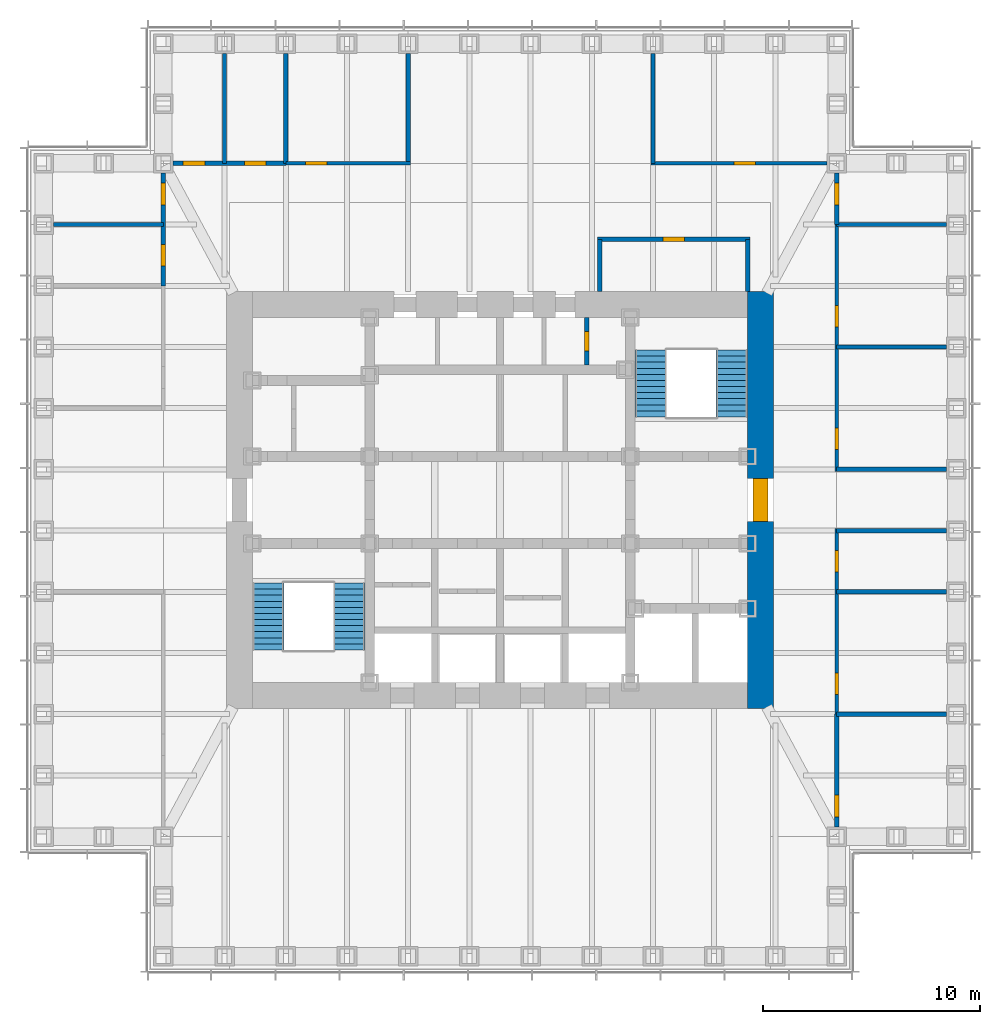
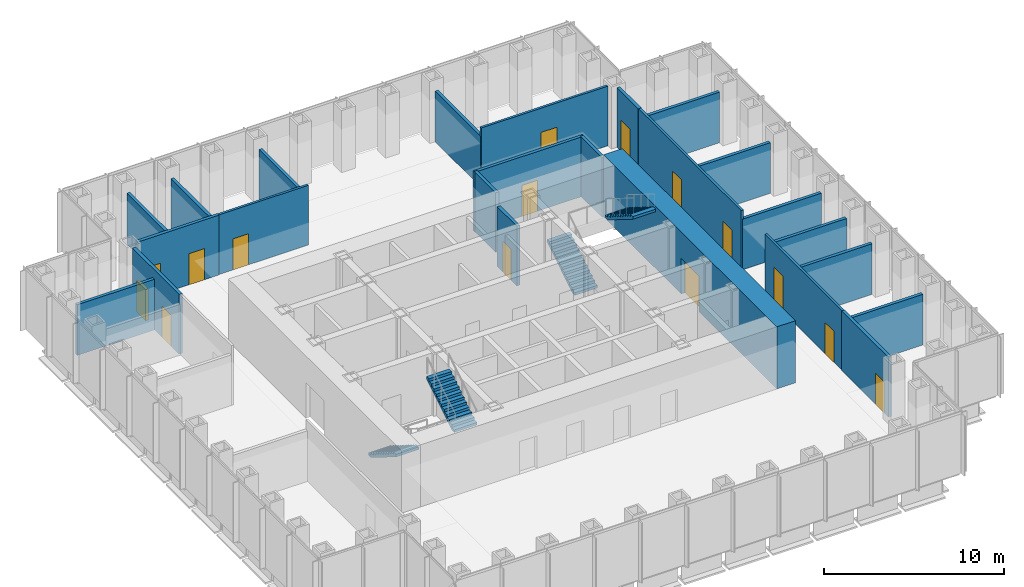
# One storey, part 10 of 16: 24 walls, 15 doors, 4 stair flights, 15 openings, 2 elements without a shape of their own.
"""IFC4 building model written with IfcOpenShell, lengths in metres."""

from ifc_helpers import new_model, si_unit, direction, frame, frame_2d, origin, place, context, subcontext, project, spatial, polyline, rectangle, outline, extrude, material, layer, layer_set, type_object, element, fill, aggregate, save


model = new_model("IFC4")

# Units and contexts
model_context = context("Model", 3, precision=1e-05, world=origin(), true_north=direction((0.0, 1.0)))
body_context = subcontext(model_context, "Body", "Model", "MODEL_VIEW")
ifc_project = project(units=[si_unit("LENGTHUNIT", "METRE"), si_unit("AREAUNIT", "SQUARE_METRE"), si_unit("VOLUMEUNIT", "CUBIC_METRE"), si_unit("PLANEANGLEUNIT", "RADIAN"), si_unit("MASSUNIT", "GRAM", prefix="KILO")], contexts=[model_context])

# Site, building, storey
site_placement = place(None, origin())
site = spatial("IfcSite", under=ifc_project, at=site_placement, CompositionType="ELEMENT")
building_placement = place(site_placement, origin())
building = spatial("IfcBuilding", under=site, at=building_placement, Name="Daluyong Arena Tower", CompositionType="ELEMENT")
storey_placement = place(building_placement, frame((0.0, 0.0, 210.699951171875)))
storey = spatial("IfcBuildingStorey", under=building, at=storey_placement, Name="L47", CompositionType="ELEMENT", Elevation=210.699951171875)

# Wall, opening, door
ifc_material_1 = material(Name="Concrete fc' 60 MPa", Category="concrete")
ifc_layer_1 = layer(ifc_material_1, 1.199951171875)
ifc_layer_set_1 = layer_set([ifc_layer_1], Name="Concrete fc' 60 MPa")
wall_type_1 = type_object("IfcWallType", Name="Core wall 1200", PredefinedType="SHEAR", material=ifc_layer_set_1)
wall_1_placement = place(storey_placement, frame((68.0, 70.39990234375, 0.0), z_axis=(0.0, 0.0, 1.0), x_axis=(0.0, 1.0, 0.0)))
wall_1 = element("IfcWall", 1, at=wall_1_placement, inside=storey, type_object=wall_type_1, Name="core wall at L47", PredefinedType="SHEAR", context=body_context, shape_type="SweptSolid", body=[
    extrude(rectangle(XDim=19.2001953125, YDim=1.199951171875, at=frame_2d((9.60009765625, 0.0))), origin(), (0.0, 0.0, 1.0), 4.199951171875),
])
opening_1_placement = place(wall_1_placement, frame((8.60009765625, 0.0, 0.0)))
opening_1 = element("IfcOpeningElement", 2, at=opening_1_placement, cuts=wall_1, Name="Opening 47023", PredefinedType="OPENING", context=body_context, shape_type="SweptSolid", body=[
    extrude(rectangle(XDim=2.0, YDim=2.39990234375, at=frame_2d((1.0, 1.199951171875))), frame((0.0, 0.60986328125, 0.0), z_axis=(0.0, -1.0, 0.0), x_axis=(1.0, 0.0, 0.0)), (0.0, 0.0, 1.0), 1.219970703125),
])
ifc_material_2 = material(Name="Steel door, fire rated", Category="steel")
door_type_1 = type_object("IfcDoorType", Name="Core lobby double door 2000", OperationType="DOUBLE_DOOR_SINGLE_SWING", PredefinedType="DOOR", material=ifc_material_2)
door_1_placement = place(opening_1_placement, origin())
door_1 = element("IfcDoor", 3, at=door_1_placement, inside=storey, type_object=door_type_1, Name="core lobby door east 47023", OperationType="DOUBLE_DOOR_SINGLE_SWING", OverallHeight=2.39990234375, OverallWidth=2.0, PredefinedType="DOOR", context=body_context, shape_type="SweptSolid", body=[
    extrude(rectangle(XDim=2.0, YDim=2.39990234375, at=frame_2d((1.0, 1.199951171875))), frame((0.0, 0.35009765625, 0.0), z_axis=(0.0, -1.0, 0.0), x_axis=(1.0, 0.0, 0.0)), (0.0, 0.0, 1.0), 0.699951171875),
])
fill(opening_1, door_1)

ifc_material_3 = material(Name="Concrete block partition, fire rated", Category="concrete")
ifc_layer_2 = layer(ifc_material_3, 0.199951171875)
ifc_layer_set_2 = layer_set([ifc_layer_2], Name="Concrete block partition, fire rated")
wall_type_2 = type_object("IfcWallType", Name="Fire-rated partition 200", PredefinedType="PARTITIONING", material=ifc_layer_set_2)
wall_2_placement = place(storey_placement, frame((60.0, 86.22509765625, 0.0), z_axis=(0.0, 0.0, 1.0), x_axis=(0.0, 1.0, 0.0)))
wall_2 = element("IfcWall", 4, at=wall_2_placement, inside=storey, type_object=wall_type_2, Name="electrical riser enclosure at L47", PredefinedType="PARTITIONING", context=body_context, shape_type="SweptSolid", body=[
    extrude(rectangle(XDim=2.1748046875, YDim=0.199951171875, at=frame_2d((1.08740234375, 0.0))), origin(), (0.0, 0.0, 1.0), 4.0400390625),
])
opening_2_placement = place(wall_2_placement, frame((0.637451171875, 0.0, 0.0)))
opening_2 = element("IfcOpeningElement", 5, at=opening_2_placement, cuts=wall_2, Name="Opening 47008", PredefinedType="OPENING", context=body_context, shape_type="SweptSolid", body=[
    extrude(rectangle(XDim=0.89990234375, YDim=2.10009765625, at=frame_2d((0.449951171875, 1.050048828125))), frame((0.0, 0.10986328125, 0.0), z_axis=(0.0, -1.0, 0.0), x_axis=(1.0, 0.0, 0.0)), (0.0, 0.0, 1.0), 0.219970703125),
])
ifc_material_4 = material(Name="Steel door, fire rated", Category="steel")
door_type_2 = type_object("IfcDoorType", Name="Riser door 900", OperationType="SINGLE_SWING_LEFT", PredefinedType="DOOR", material=ifc_material_4)
door_2_placement = place(opening_2_placement, origin())
door_2 = element("IfcDoor", 6, at=door_2_placement, inside=storey, type_object=door_type_2, Name="riser door 47008", OperationType="SINGLE_SWING_LEFT", OverallHeight=2.10009765625, OverallWidth=0.89990234375, PredefinedType="DOOR", context=body_context, shape_type="SweptSolid", body=[
    extrude(rectangle(XDim=0.89990234375, YDim=2.10009765625, at=frame_2d((0.449951171875, 1.050048828125))), frame((0.0, 0.099609375, 0.0), z_axis=(0.0, -1.0, 0.0), x_axis=(1.0, 0.0, 0.0)), (0.0, 0.0, 1.0), 0.199462890625),
])
fill(opening_2, door_2)

ifc_material_5 = material(Name="Glazed aluminium partition", Category="aluminium")
ifc_layer_3 = layer(ifc_material_5, 0.14990234375)
ifc_layer_set_3 = layer_set([ifc_layer_3], Name="Glazed aluminium partition")
wall_type_3 = type_object("IfcWallType", Name="Glazed partition 150", PredefinedType="PARTITIONING", material=ifc_layer_set_3)
wall_3_placement = place(storey_placement, frame((46.136474609375, 95.5, 0.0), z_axis=(0.0, 0.0, 1.0), x_axis=(1.0, 0.0, 0.0)))
wall_3 = element("IfcWall", 7, at=wall_3_placement, inside=storey, type_object=wall_type_3, Name="glazed partition at L47", PredefinedType="PARTITIONING", context=body_context, shape_type="SweptSolid", body=[
    extrude(rectangle(XDim=5.736328125, YDim=0.14990234375, at=frame_2d((2.8681640625, 0.0))), origin(), (0.0, 0.0, 1.0), 4.0400390625),
])
opening_3_placement = place(wall_3_placement, frame((0.9091796875, 0.0, 0.0)))
opening_3 = element("IfcOpeningElement", 8, at=opening_3_placement, cuts=wall_3, Name="Opening 47041", PredefinedType="OPENING", context=body_context, shape_type="SweptSolid", body=[
    extrude(rectangle(XDim=1.0, YDim=2.10009765625, at=frame_2d((0.5, 1.050048828125))), frame((0.0, 0.0849609375, 0.0), z_axis=(0.0, -1.0, 0.0), x_axis=(1.0, 0.0, 0.0)), (0.0, 0.0, 1.0), 0.169921875),
])
ifc_material_6 = material(Name="Timber door", Category="wood")
door_type_3 = type_object("IfcDoorType", Name="Room door 1000", OperationType="SINGLE_SWING_LEFT", PredefinedType="DOOR", material=ifc_material_6)
door_3_placement = place(opening_3_placement, origin())
door_3 = element("IfcDoor", 9, at=door_3_placement, inside=storey, type_object=door_type_3, Name="executive office door 47041", OperationType="SINGLE_SWING_LEFT", OverallHeight=2.10009765625, OverallWidth=1.0, PredefinedType="DOOR", context=body_context, shape_type="SweptSolid", body=[
    extrude(rectangle(XDim=1.0, YDim=2.10009765625, at=frame_2d((0.5, 1.050048828125))), frame((0.0, 0.07470703125, 0.0), z_axis=(0.0, -1.0, 0.0), x_axis=(1.0, 0.0, 0.0)), (0.0, 0.0, 1.0), 0.1494140625),
])
fill(opening_3, door_3)

wall_4_placement = place(storey_placement, frame((62.945556640625, 95.5, 0.0), z_axis=(0.0, 0.0, 1.0), x_axis=(1.0, 0.0, 0.0)))
wall_4 = element("IfcWall", 10, at=wall_4_placement, inside=storey, type_object=wall_type_3, Name="glazed partition at L47", PredefinedType="PARTITIONING", context=body_context, shape_type="SweptSolid", body=[
    extrude(rectangle(XDim=8.1044921875, YDim=0.14990234375, at=frame_2d((4.05224609375, 0.0))), origin(), (0.0, 0.0, 1.0), 4.0400390625),
])
opening_4_placement = place(wall_4_placement, frame((3.827392578125, 0.0, 0.0)))
opening_4 = element("IfcOpeningElement", 11, at=opening_4_placement, cuts=wall_4, Name="Opening 47042", PredefinedType="OPENING", context=body_context, shape_type="SweptSolid", body=[
    extrude(rectangle(XDim=1.0, YDim=2.39990234375, at=frame_2d((0.5, 1.199951171875))), frame((0.0, 0.0849609375, 0.0), z_axis=(0.0, -1.0, 0.0), x_axis=(1.0, 0.0, 0.0)), (0.0, 0.0, 1.0), 0.169921875),
])
ifc_material_7 = material(Name="Glazed aluminium door", Category="aluminium")
door_type_4 = type_object("IfcDoorType", Name="Meeting room glazed door 1000", OperationType="SINGLE_SWING_RIGHT", PredefinedType="DOOR", material=ifc_material_7)
door_4_placement = place(opening_4_placement, origin())
door_4 = element("IfcDoor", 12, at=door_4_placement, inside=storey, type_object=door_type_4, Name="meeting room door 47042", OperationType="SINGLE_SWING_RIGHT", OverallHeight=2.39990234375, OverallWidth=1.0, PredefinedType="DOOR", context=body_context, shape_type="SweptSolid", body=[
    extrude(rectangle(XDim=1.0, YDim=2.39990234375, at=frame_2d((0.5, 1.199951171875))), frame((0.0, 0.07470703125, 0.0), z_axis=(0.0, -1.0, 0.0), x_axis=(1.0, 0.0, 0.0)), (0.0, 0.0, 1.0), 0.1494140625),
])
fill(opening_4, door_4)

# Wall, openings, doors
wall_5_placement = place(storey_placement, frame((71.5, 70.136474609375, 0.0), z_axis=(0.0, 0.0, 1.0), x_axis=(0.0, 1.0, 0.0)))
wall_5 = element("IfcWall", 13, at=wall_5_placement, inside=storey, type_object=wall_type_3, Name="glazed partition at L47", PredefinedType="PARTITIONING", context=body_context, shape_type="SweptSolid", body=[
    extrude(rectangle(XDim=8.554443359375, YDim=0.14990234375, at=frame_2d((4.27734375, 0.0))), origin(), (0.0, 0.0, 1.0), 4.0400390625),
])
opening_5_placement = place(wall_5_placement, frame((0.9091796875, 0.0, 0.0)))
opening_5 = element("IfcOpeningElement", 14, at=opening_5_placement, cuts=wall_5, Name="Opening 47034", PredefinedType="OPENING", context=body_context, shape_type="SweptSolid", body=[
    extrude(rectangle(XDim=1.0, YDim=2.10009765625, at=frame_2d((0.5, 1.050048828125))), frame((0.0, 0.0849609375, 0.0), z_axis=(0.0, -1.0, 0.0), x_axis=(1.0, 0.0, 0.0)), (0.0, 0.0, 1.0), 0.169921875),
])
opening_6_placement = place(wall_5_placement, frame((6.54541015625, 0.0, 0.0)))
opening_6 = element("IfcOpeningElement", 15, at=opening_6_placement, cuts=wall_5, Name="Opening 47035", PredefinedType="OPENING", context=body_context, shape_type="SweptSolid", body=[
    extrude(rectangle(XDim=1.0, YDim=2.39990234375, at=frame_2d((0.5, 1.199951171875))), frame((0.0, 0.0849609375, 0.0), z_axis=(0.0, -1.0, 0.0), x_axis=(1.0, 0.0, 0.0)), (0.0, 0.0, 1.0), 0.169921875),
])
door_5_placement = place(opening_6_placement, origin())
door_5 = element("IfcDoor", 16, at=door_5_placement, inside=storey, type_object=door_type_4, Name="focus room door 47035", OperationType="SINGLE_SWING_RIGHT", OverallHeight=2.39990234375, OverallWidth=1.0, PredefinedType="DOOR", context=body_context, shape_type="SweptSolid", body=[
    extrude(rectangle(XDim=1.0, YDim=2.39990234375, at=frame_2d((0.5, 1.199951171875))), frame((0.0, 0.07470703125, 0.0), z_axis=(0.0, -1.0, 0.0), x_axis=(1.0, 0.0, 0.0)), (0.0, 0.0, 1.0), 0.1494140625),
])
fill(opening_6, door_5)
door_6_placement = place(opening_5_placement, origin())
door_6 = element("IfcDoor", 17, at=door_6_placement, inside=storey, type_object=door_type_3, Name="office door 47034", OperationType="SINGLE_SWING_LEFT", OverallHeight=2.10009765625, OverallWidth=1.0, PredefinedType="DOOR", context=body_context, shape_type="SweptSolid", body=[
    extrude(rectangle(XDim=1.0, YDim=2.10009765625, at=frame_2d((0.5, 1.050048828125))), frame((0.0, 0.07470703125, 0.0), z_axis=(0.0, -1.0, 0.0), x_axis=(1.0, 0.0, 0.0)), (0.0, 0.0, 1.0), 0.1494140625),
])
fill(opening_5, door_6)

wall_6_placement = place(storey_placement, frame((71.5, 81.30908203125, 0.0), z_axis=(0.0, 0.0, 1.0), x_axis=(0.0, 1.0, 0.0)))
wall_6 = element("IfcWall", 18, at=wall_6_placement, inside=storey, type_object=wall_type_3, Name="glazed partition at L47", PredefinedType="PARTITIONING", context=body_context, shape_type="SweptSolid", body=[
    extrude(rectangle(XDim=11.372802734375, YDim=0.14990234375, at=frame_2d((5.6865234375, 0.0))), origin(), (0.0, 0.0, 1.0), 4.0400390625),
])
opening_7_placement = place(wall_6_placement, frame((1.009033203125, 0.0, 0.0)))
opening_7 = element("IfcOpeningElement", 19, at=opening_7_placement, cuts=wall_6, Name="Opening 47036", PredefinedType="OPENING", context=body_context, shape_type="SweptSolid", body=[
    extrude(rectangle(XDim=1.0, YDim=2.10009765625, at=frame_2d((0.5, 1.050048828125))), frame((0.0, 0.0849609375, 0.0), z_axis=(0.0, -1.0, 0.0), x_axis=(1.0, 0.0, 0.0)), (0.0, 0.0, 1.0), 0.169921875),
])
opening_8_placement = place(wall_6_placement, frame((6.6455078125, 0.0, 0.0)))
opening_8 = element("IfcOpeningElement", 20, at=opening_8_placement, cuts=wall_6, Name="Opening 47037", PredefinedType="OPENING", context=body_context, shape_type="SweptSolid", body=[
    extrude(rectangle(XDim=1.0, YDim=2.10009765625, at=frame_2d((0.5, 1.050048828125))), frame((0.0, 0.0849609375, 0.0), z_axis=(0.0, -1.0, 0.0), x_axis=(1.0, 0.0, 0.0)), (0.0, 0.0, 1.0), 0.169921875),
])
door_7_placement = place(opening_7_placement, origin())
door_7 = element("IfcDoor", 21, at=door_7_placement, inside=storey, type_object=door_type_3, Name="office door 47036", OperationType="SINGLE_SWING_LEFT", OverallHeight=2.10009765625, OverallWidth=1.0, PredefinedType="DOOR", context=body_context, shape_type="SweptSolid", body=[
    extrude(rectangle(XDim=1.0, YDim=2.10009765625, at=frame_2d((0.5, 1.050048828125))), frame((0.0, 0.07470703125, 0.0), z_axis=(0.0, -1.0, 0.0), x_axis=(1.0, 0.0, 0.0)), (0.0, 0.0, 1.0), 0.1494140625),
])
fill(opening_7, door_7)
door_8_placement = place(opening_8_placement, origin())
door_8 = element("IfcDoor", 22, at=door_8_placement, inside=storey, type_object=door_type_3, Name="office door 47037", OperationType="SINGLE_SWING_LEFT", OverallHeight=2.10009765625, OverallWidth=1.0, PredefinedType="DOOR", context=body_context, shape_type="SweptSolid", body=[
    extrude(rectangle(XDim=1.0, YDim=2.10009765625, at=frame_2d((0.5, 1.050048828125))), frame((0.0, 0.07470703125, 0.0), z_axis=(0.0, -1.0, 0.0), x_axis=(1.0, 0.0, 0.0)), (0.0, 0.0, 1.0), 0.1494140625),
])
fill(opening_8, door_8)

# Walls
ifc_material_8 = material(Name="Concrete block partition", Category="concrete")
ifc_layer_4 = layer(ifc_material_8, 0.199951171875)
ifc_layer_set_4 = layer_set([ifc_layer_4], Name="Concrete block partition")
wall_type_4 = type_object("IfcWallType", Name="Partition 200", PredefinedType="PARTITIONING", material=ifc_layer_set_4)
for number, where, z_axis, x_axis, name in (
    (23, (71.5, 70.136474609375, 0.0), (0.0, 0.0, 1.0), (1.0, 0.0, 0.0), "partition at L47"),
    (24, (71.5, 75.772705078125, 0.0), (0.0, 0.0, 1.0), (1.0, 0.0, 0.0), "partition at L47"),
    (25, (71.5, 78.5908203125, 0.0), (0.0, 0.0, 1.0), (1.0, 0.0, 0.0), "partition at L47"),
    (26, (71.5, 81.4091796875, 0.0), (0.0, 0.0, 1.0), (1.0, 0.0, 0.0), "partition at L47"),
    (27, (71.5, 87.04541015625, 0.0), (0.0, 0.0, 1.0), (1.0, 0.0, 0.0), "partition at L47"),
    (28, (71.5, 92.681884765625, 0.0), (0.0, 0.0, 1.0), (1.0, 0.0, 0.0), "partition at L47"),
    (29, (43.318115234375, 95.5, 0.0), (0.0, 0.0, 1.0), (0.0, 1.0, 0.0), "partition at L47"),
    (30, (46.136474609375, 95.5, 0.0), (0.0, 0.0, 1.0), (0.0, 1.0, 0.0), "partition at L47"),
    (31, (51.772705078125, 95.5, 0.0), (0.0, 0.0, 1.0), (0.0, 1.0, 0.0), "partition at L47"),
    (32, (63.04541015625, 95.5, 0.0), (0.0, 0.0, 1.0), (0.0, 1.0, 0.0), "partition at L47"),
    (33, (35.449951171875, 92.681884765625, 0.0), (0.0, 0.0, 1.0), (1.0, 0.0, 0.0), "partition at L47"),
):
    element("IfcWall", number, at=place(storey_placement, frame(where, z_axis=z_axis, x_axis=x_axis)), inside=storey, type_object=wall_type_4, Name=name, PredefinedType="PARTITIONING", context=body_context, shape_type="SweptSolid", body=[
        extrude(rectangle(XDim=5.050048828125, YDim=0.199951171875, at=frame_2d((2.52490234375, 0.0))), origin(), (0.0, 0.0, 1.0), 3.427978515625),
    ])
for number, where, z_axis, x_axis, name in (
    (34, (60.60009765625, 89.60009765625, 0.0), (0.0, 0.0, 1.0), (0.0, 1.0, 0.0), "partition at L47"),
    (35, (67.39990234375, 89.60009765625, 0.0), (0.0, 0.0, 1.0), (0.0, 1.0, 0.0), "partition at L47"),
):
    element("IfcWall", number, at=place(storey_placement, frame(where, z_axis=z_axis, x_axis=x_axis)), inside=storey, type_object=wall_type_4, Name=name, PredefinedType="PARTITIONING", context=body_context, shape_type="SweptSolid", body=[
        extrude(rectangle(XDim=2.39990234375, YDim=0.199951171875, at=frame_2d((1.199951171875, 0.0))), origin(), (0.0, 0.0, 1.0), 4.0400390625),
    ])

# Wall, opening, door
wall_7_placement = place(storey_placement, frame((60.5, 92.0, 0.0), z_axis=(0.0, 0.0, 1.0), x_axis=(1.0, 0.0, 0.0)))
wall_7 = element("IfcWall", 36, at=wall_7_placement, inside=storey, type_object=wall_type_4, Name="partition at L47", PredefinedType="PARTITIONING", context=body_context, shape_type="SweptSolid", body=[
    extrude(rectangle(XDim=7.0, YDim=0.199951171875, at=frame_2d((3.5, 0.0))), origin(), (0.0, 0.0, 1.0), 4.0400390625),
])
opening_9_placement = place(wall_7_placement, frame((3.0, 0.0, 0.0)))
opening_9 = element("IfcOpeningElement", 37, at=opening_9_placement, cuts=wall_7, Name="Opening 47047", PredefinedType="OPENING", context=body_context, shape_type="SweptSolid", body=[
    extrude(rectangle(XDim=1.0, YDim=2.10009765625, at=frame_2d((0.5, 1.050048828125))), frame((0.0, 0.10986328125, 0.0), z_axis=(0.0, -1.0, 0.0), x_axis=(1.0, 0.0, 0.0)), (0.0, 0.0, 1.0), 0.219970703125),
])
door_9_placement = place(opening_9_placement, origin())
door_9 = element("IfcDoor", 38, at=door_9_placement, inside=storey, type_object=door_type_3, Name="project room door 47047", OperationType="SINGLE_SWING_LEFT", OverallHeight=2.10009765625, OverallWidth=1.0, PredefinedType="DOOR", context=body_context, shape_type="SweptSolid", body=[
    extrude(rectangle(XDim=1.0, YDim=2.10009765625, at=frame_2d((0.5, 1.050048828125))), frame((0.0, 0.099609375, 0.0), z_axis=(0.0, -1.0, 0.0), x_axis=(1.0, 0.0, 0.0)), (0.0, 0.0, 1.0), 0.199462890625),
])
fill(opening_9, door_9)

# Wall, openings, doors
wall_8_placement = place(storey_placement, frame((40.949951171875, 95.5, 0.0), z_axis=(0.0, 0.0, 1.0), x_axis=(1.0, 0.0, 0.0)))
wall_8 = element("IfcWall", 39, at=wall_8_placement, inside=storey, type_object=wall_type_4, Name="partition at L47", PredefinedType="PARTITIONING", context=body_context, shape_type="SweptSolid", body=[
    extrude(rectangle(XDim=5.1865234375, YDim=0.199951171875, at=frame_2d((2.59326171875, 0.0))), origin(), (0.0, 0.0, 1.0), 4.0400390625),
])
opening_10_placement = place(wall_8_placement, frame((0.458984375, 0.0, 0.0)))
opening_10 = element("IfcOpeningElement", 40, at=opening_10_placement, cuts=wall_8, Name="Opening 47039", PredefinedType="OPENING", context=body_context, shape_type="SweptSolid", body=[
    extrude(rectangle(XDim=1.0, YDim=2.10009765625, at=frame_2d((0.5, 1.050048828125))), frame((0.0, 0.10986328125, 0.0), z_axis=(0.0, -1.0, 0.0), x_axis=(1.0, 0.0, 0.0)), (0.0, 0.0, 1.0), 0.219970703125),
])
opening_11_placement = place(wall_8_placement, frame((3.27734375, 0.0, 0.0)))
opening_11 = element("IfcOpeningElement", 41, at=opening_11_placement, cuts=wall_8, Name="Opening 47040", PredefinedType="OPENING", context=body_context, shape_type="SweptSolid", body=[
    extrude(rectangle(XDim=1.0, YDim=2.10009765625, at=frame_2d((0.5, 1.050048828125))), frame((0.0, 0.10986328125, 0.0), z_axis=(0.0, -1.0, 0.0), x_axis=(1.0, 0.0, 0.0)), (0.0, 0.0, 1.0), 0.219970703125),
])
door_10_placement = place(opening_10_placement, origin())
door_10 = element("IfcDoor", 42, at=door_10_placement, inside=storey, type_object=door_type_3, Name="quiet room door 47039", OperationType="SINGLE_SWING_LEFT", OverallHeight=2.10009765625, OverallWidth=1.0, PredefinedType="DOOR", context=body_context, shape_type="SweptSolid", body=[
    extrude(rectangle(XDim=1.0, YDim=2.10009765625, at=frame_2d((0.5, 1.050048828125))), frame((0.0, 0.099609375, 0.0), z_axis=(0.0, -1.0, 0.0), x_axis=(1.0, 0.0, 0.0)), (0.0, 0.0, 1.0), 0.199462890625),
])
fill(opening_10, door_10)
door_11_placement = place(opening_11_placement, origin())
door_11 = element("IfcDoor", 43, at=door_11_placement, inside=storey, type_object=door_type_3, Name="wellness room door 47040", OperationType="SINGLE_SWING_LEFT", OverallHeight=2.10009765625, OverallWidth=1.0, PredefinedType="DOOR", context=body_context, shape_type="SweptSolid", body=[
    extrude(rectangle(XDim=1.0, YDim=2.10009765625, at=frame_2d((0.5, 1.050048828125))), frame((0.0, 0.099609375, 0.0), z_axis=(0.0, -1.0, 0.0), x_axis=(1.0, 0.0, 0.0)), (0.0, 0.0, 1.0), 0.199462890625),
])
fill(opening_11, door_11)

wall_9_placement = place(storey_placement, frame((40.5, 89.863525390625, 0.0), z_axis=(0.0, 0.0, 1.0), x_axis=(0.0, 1.0, 0.0)))
wall_9 = element("IfcWall", 44, at=wall_9_placement, inside=storey, type_object=wall_type_4, Name="partition at L47", PredefinedType="PARTITIONING", context=body_context, shape_type="SweptSolid", body=[
    extrude(rectangle(XDim=5.1865234375, YDim=0.199951171875, at=frame_2d((2.59326171875, 0.0))), origin(), (0.0, 0.0, 1.0), 4.0400390625),
])
opening_12_placement = place(wall_9_placement, frame((0.9091796875, 0.0, 0.0)))
opening_12 = element("IfcOpeningElement", 45, at=opening_12_placement, cuts=wall_9, Name="Opening 47045", PredefinedType="OPENING", context=body_context, shape_type="SweptSolid", body=[
    extrude(rectangle(XDim=1.0, YDim=2.10009765625, at=frame_2d((0.5, 1.050048828125))), frame((0.0, 0.10986328125, 0.0), z_axis=(0.0, -1.0, 0.0), x_axis=(1.0, 0.0, 0.0)), (0.0, 0.0, 1.0), 0.219970703125),
])
opening_13_placement = place(wall_9_placement, frame((3.727294921875, 0.0, 0.0)))
opening_13 = element("IfcOpeningElement", 46, at=opening_13_placement, cuts=wall_9, Name="Opening 47046", PredefinedType="OPENING", context=body_context, shape_type="SweptSolid", body=[
    extrude(rectangle(XDim=1.0, YDim=2.10009765625, at=frame_2d((0.5, 1.050048828125))), frame((0.0, 0.10986328125, 0.0), z_axis=(0.0, -1.0, 0.0), x_axis=(1.0, 0.0, 0.0)), (0.0, 0.0, 1.0), 0.219970703125),
])
door_12_placement = place(opening_12_placement, origin())
door_12 = element("IfcDoor", 47, at=door_12_placement, inside=storey, type_object=door_type_3, Name="copy room door 47045", OperationType="SINGLE_SWING_LEFT", OverallHeight=2.10009765625, OverallWidth=1.0, PredefinedType="DOOR", context=body_context, shape_type="SweptSolid", body=[
    extrude(rectangle(XDim=1.0, YDim=2.10009765625, at=frame_2d((0.5, 1.050048828125))), frame((0.0, 0.099609375, 0.0), z_axis=(0.0, -1.0, 0.0), x_axis=(1.0, 0.0, 0.0)), (0.0, 0.0, 1.0), 0.199462890625),
])
fill(opening_12, door_12)
door_13_placement = place(opening_13_placement, origin())
door_13 = element("IfcDoor", 48, at=door_13_placement, inside=storey, type_object=door_type_3, Name="quiet room door 47046", OperationType="SINGLE_SWING_LEFT", OverallHeight=2.10009765625, OverallWidth=1.0, PredefinedType="DOOR", context=body_context, shape_type="SweptSolid", body=[
    extrude(rectangle(XDim=1.0, YDim=2.10009765625, at=frame_2d((0.5, 1.050048828125))), frame((0.0, 0.099609375, 0.0), z_axis=(0.0, -1.0, 0.0), x_axis=(1.0, 0.0, 0.0)), (0.0, 0.0, 1.0), 0.199462890625),
])
fill(opening_13, door_13)

# Wall, opening, door
wall_10_placement = place(storey_placement, frame((71.5, 64.949951171875, 0.0), z_axis=(0.0, 0.0, 1.0), x_axis=(0.0, 1.0, 0.0)))
wall_10 = element("IfcWall", 49, at=wall_10_placement, inside=storey, type_object=wall_type_4, Name="partition at L47", PredefinedType="PARTITIONING", context=body_context, shape_type="SweptSolid", body=[
    extrude(rectangle(XDim=5.1865234375, YDim=0.199951171875, at=frame_2d((2.59326171875, 0.0))), origin(), (0.0, 0.0, 1.0), 4.0400390625),
])
opening_14_placement = place(wall_10_placement, frame((0.458984375, 0.0, 0.0)))
opening_14 = element("IfcOpeningElement", 50, at=opening_14_placement, cuts=wall_10, Name="Opening 47033", PredefinedType="OPENING", context=body_context, shape_type="SweptSolid", body=[
    extrude(rectangle(XDim=1.0, YDim=2.10009765625, at=frame_2d((0.5, 1.050048828125))), frame((0.0, 0.10986328125, 0.0), z_axis=(0.0, -1.0, 0.0), x_axis=(1.0, 0.0, 0.0)), (0.0, 0.0, 1.0), 0.219970703125),
])
door_14_placement = place(opening_14_placement, origin())
door_14 = element("IfcDoor", 51, at=door_14_placement, inside=storey, type_object=door_type_3, Name="project room door 47033", OperationType="SINGLE_SWING_LEFT", OverallHeight=2.10009765625, OverallWidth=1.0, PredefinedType="DOOR", context=body_context, shape_type="SweptSolid", body=[
    extrude(rectangle(XDim=1.0, YDim=2.10009765625, at=frame_2d((0.5, 1.050048828125))), frame((0.0, 0.099609375, 0.0), z_axis=(0.0, -1.0, 0.0), x_axis=(1.0, 0.0, 0.0)), (0.0, 0.0, 1.0), 0.199462890625),
])
fill(opening_14, door_14)

wall_11_placement = place(storey_placement, frame((71.5, 92.681884765625, 0.0), z_axis=(0.0, 0.0, 1.0), x_axis=(0.0, 1.0, 0.0)))
wall_11 = element("IfcWall", 52, at=wall_11_placement, inside=storey, type_object=wall_type_4, Name="partition at L47", PredefinedType="PARTITIONING", context=body_context, shape_type="SweptSolid", body=[
    extrude(rectangle(XDim=2.3681640625, YDim=0.199951171875, at=frame_2d((1.18408203125, 0.0))), origin(), (0.0, 0.0, 1.0), 4.0400390625),
])
opening_15_placement = place(wall_11_placement, frame((0.9091796875, 0.0, 0.0)))
opening_15 = element("IfcOpeningElement", 53, at=opening_15_placement, cuts=wall_11, Name="Opening 47038", PredefinedType="OPENING", context=body_context, shape_type="SweptSolid", body=[
    extrude(rectangle(XDim=1.0, YDim=2.10009765625, at=frame_2d((0.5, 1.050048828125))), frame((0.0, 0.10986328125, 0.0), z_axis=(0.0, -1.0, 0.0), x_axis=(1.0, 0.0, 0.0)), (0.0, 0.0, 1.0), 0.219970703125),
])
door_15_placement = place(opening_15_placement, origin())
door_15 = element("IfcDoor", 54, at=door_15_placement, inside=storey, type_object=door_type_3, Name="quiet room door 47038", OperationType="SINGLE_SWING_LEFT", OverallHeight=2.10009765625, OverallWidth=1.0, PredefinedType="DOOR", context=body_context, shape_type="SweptSolid", body=[
    extrude(rectangle(XDim=1.0, YDim=2.10009765625, at=frame_2d((0.5, 1.050048828125))), frame((0.0, 0.099609375, 0.0), z_axis=(0.0, -1.0, 0.0), x_axis=(1.0, 0.0, 0.0)), (0.0, 0.0, 1.0), 0.199462890625),
])
fill(opening_15, door_15)

# Stair, stair flights
ifc_material_9 = material(Name="Concrete fc' 35 MPa", Category="concrete")
stair_type = type_object("IfcStairType", Name="Core exit stair", PredefinedType="HALF_TURN_STAIR", material=ifc_material_9)
stair_1_placement = place(storey_placement, origin())
stair_1 = element("IfcStair", 55, at=stair_1_placement, inside=storey, type_object=stair_type, Name="exit stair A L47", PredefinedType="HALF_TURN_STAIR")
ifc_material_10 = material(Name="Concrete fc' 35 MPa", Category="concrete")
stair_flight_type = type_object("IfcStairFlightType", Name="Core stair flight", PredefinedType="STRAIGHT", material=ifc_material_10)
stair_flight_1_placement = place(storey_placement, frame((45.324951171875, 76.175048828125, 0.0), z_axis=(0.0, 0.0, 1.0), x_axis=(0.0, -1.0, 0.0)))
stair_flight_1 = element("IfcStairFlight", 56, at=stair_flight_1_placement, type_object=stair_flight_type, Name="STA flight 1", NumberOfRisers=12, NumberOfTreads=11, PredefinedType="STRAIGHT", RiserHeight=0.175, TreadLength=0.28, context=body_context, shape_type="SweptSolid", body=[
    extrude(outline(polyline([(0.0, 0.0), (0.0, 0.175048828125), (0.280029296875, 0.175048828125), (0.280029296875, 0.35009765625), (0.56005859375, 0.35009765625), (0.56005859375, 0.52490234375), (0.840087890625, 0.52490234375), (0.840087890625, 0.699951171875), (1.1201171875, 0.699951171875), (1.1201171875, 0.875), (1.39990234375, 0.875), (1.39990234375, 1.050048828125), (1.679931640625, 1.050048828125), (1.679931640625, 1.22509765625), (1.9599609375, 1.22509765625), (1.9599609375, 1.39990234375), (2.239990234375, 1.39990234375), (2.239990234375, 1.574951171875), (2.52001953125, 1.574951171875), (2.52001953125, 1.75), (2.800048828125, 1.75), (2.800048828125, 1.925048828125), (3.080078125, 1.925048828125), (3.080078125, 2.10009765625), (3.080078125, 1.748291015625), (0.28271484375, 0.0), (0.0, 0.0)])), frame((0.0, 0.72509765625, 0.0), z_axis=(0.0, -1.0, 0.0), x_axis=(1.0, 0.0, 0.0)), (0.0, 0.0, 1.0), 1.449951171875),
])
stair_flight_2_placement = place(storey_placement, frame((49.050048828125, 73.094970703125, 2.10009765625), z_axis=(0.0, 0.0, 1.0), x_axis=(0.0, 1.0, 0.0)))
stair_flight_2 = element("IfcStairFlight", 57, at=stair_flight_2_placement, type_object=stair_flight_type, Name="STA flight 2", NumberOfRisers=12, NumberOfTreads=11, PredefinedType="STRAIGHT", RiserHeight=0.175, TreadLength=0.28, context=body_context, shape_type="SweptSolid", body=[
    extrude(outline(polyline([(0.0, 0.0), (0.0, 0.175048828125), (0.280029296875, 0.175048828125), (0.280029296875, 0.35009765625), (0.56005859375, 0.35009765625), (0.56005859375, 0.52490234375), (0.840087890625, 0.52490234375), (0.840087890625, 0.699951171875), (1.1201171875, 0.699951171875), (1.1201171875, 0.875), (1.39990234375, 0.875), (1.39990234375, 1.050048828125), (1.679931640625, 1.050048828125), (1.679931640625, 1.22509765625), (1.9599609375, 1.22509765625), (1.9599609375, 1.39990234375), (2.239990234375, 1.39990234375), (2.239990234375, 1.574951171875), (2.52001953125, 1.574951171875), (2.52001953125, 1.75), (2.800048828125, 1.75), (2.800048828125, 1.925048828125), (3.080078125, 1.925048828125), (3.080078125, 2.10009765625), (3.080078125, 1.748291015625), (0.28271484375, 0.0), (0.0, 0.0)])), frame((0.0, 0.72509765625, 0.0), z_axis=(0.0, -1.0, 0.0), x_axis=(1.0, 0.0, 0.0)), (0.0, 0.0, 1.0), 1.449951171875),
])
aggregate(stair_1, [stair_flight_1, stair_flight_2])

stair_2_placement = place(storey_placement, origin())
stair_2 = element("IfcStair", 58, at=stair_2_placement, inside=storey, type_object=stair_type, Name="exit stair B L47", PredefinedType="HALF_TURN_STAIR")
stair_flight_3_placement = place(storey_placement, frame((62.949951171875, 83.824951171875, 0.0), z_axis=(0.0, 0.0, 1.0), x_axis=(0.0, 1.0, 0.0)))
stair_flight_3 = element("IfcStairFlight", 59, at=stair_flight_3_placement, type_object=stair_flight_type, Name="STB flight 1", NumberOfRisers=12, NumberOfTreads=11, PredefinedType="STRAIGHT", RiserHeight=0.175, TreadLength=0.28, context=body_context, shape_type="SweptSolid", body=[
    extrude(outline(polyline([(0.0, 0.0), (0.0, 0.175048828125), (0.280029296875, 0.175048828125), (0.280029296875, 0.35009765625), (0.56005859375, 0.35009765625), (0.56005859375, 0.52490234375), (0.840087890625, 0.52490234375), (0.840087890625, 0.699951171875), (1.1201171875, 0.699951171875), (1.1201171875, 0.875), (1.39990234375, 0.875), (1.39990234375, 1.050048828125), (1.679931640625, 1.050048828125), (1.679931640625, 1.22509765625), (1.9599609375, 1.22509765625), (1.9599609375, 1.39990234375), (2.239990234375, 1.39990234375), (2.239990234375, 1.574951171875), (2.52001953125, 1.574951171875), (2.52001953125, 1.75), (2.800048828125, 1.75), (2.800048828125, 1.925048828125), (3.080078125, 1.925048828125), (3.080078125, 2.10009765625), (3.080078125, 1.748291015625), (0.28271484375, 0.0), (0.0, 0.0)])), frame((0.0, 0.72509765625, 0.0), z_axis=(0.0, -1.0, 0.0), x_axis=(1.0, 0.0, 0.0)), (0.0, 0.0, 1.0), 1.449951171875),
])
stair_flight_4_placement = place(storey_placement, frame((66.675048828125, 86.905029296875, 2.10009765625), z_axis=(0.0, 0.0, 1.0), x_axis=(0.0, -1.0, 0.0)))
stair_flight_4 = element("IfcStairFlight", 60, at=stair_flight_4_placement, type_object=stair_flight_type, Name="STB flight 2", NumberOfRisers=12, NumberOfTreads=11, PredefinedType="STRAIGHT", RiserHeight=0.175, TreadLength=0.28, context=body_context, shape_type="SweptSolid", body=[
    extrude(outline(polyline([(0.0, 0.0), (0.0, 0.175048828125), (0.280029296875, 0.175048828125), (0.280029296875, 0.35009765625), (0.56005859375, 0.35009765625), (0.56005859375, 0.52490234375), (0.840087890625, 0.52490234375), (0.840087890625, 0.699951171875), (1.1201171875, 0.699951171875), (1.1201171875, 0.875), (1.39990234375, 0.875), (1.39990234375, 1.050048828125), (1.679931640625, 1.050048828125), (1.679931640625, 1.22509765625), (1.9599609375, 1.22509765625), (1.9599609375, 1.39990234375), (2.239990234375, 1.39990234375), (2.239990234375, 1.574951171875), (2.52001953125, 1.574951171875), (2.52001953125, 1.75), (2.800048828125, 1.75), (2.800048828125, 1.925048828125), (3.080078125, 1.925048828125), (3.080078125, 2.10009765625), (3.080078125, 1.748291015625), (0.28271484375, 0.0), (0.0, 0.0)])), frame((0.0, 0.72509765625, 0.0), z_axis=(0.0, -1.0, 0.0), x_axis=(1.0, 0.0, 0.0)), (0.0, 0.0, 1.0), 1.449951171875),
])
aggregate(stair_2, [stair_flight_3, stair_flight_4])

save(model, "model.ifc")
